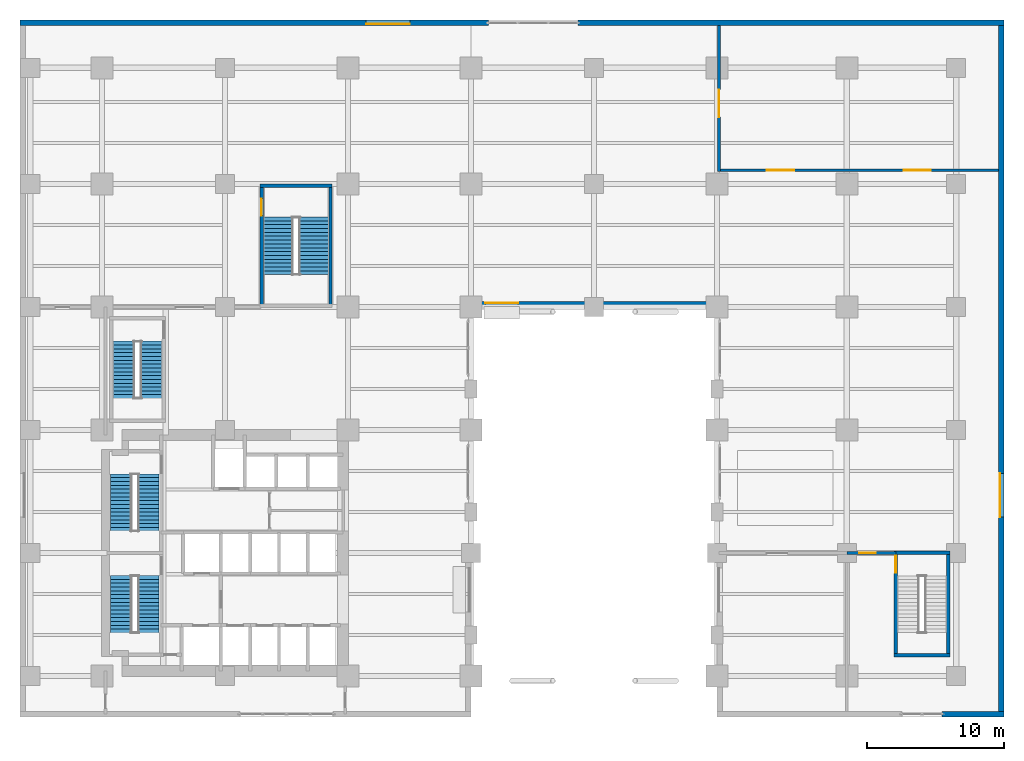
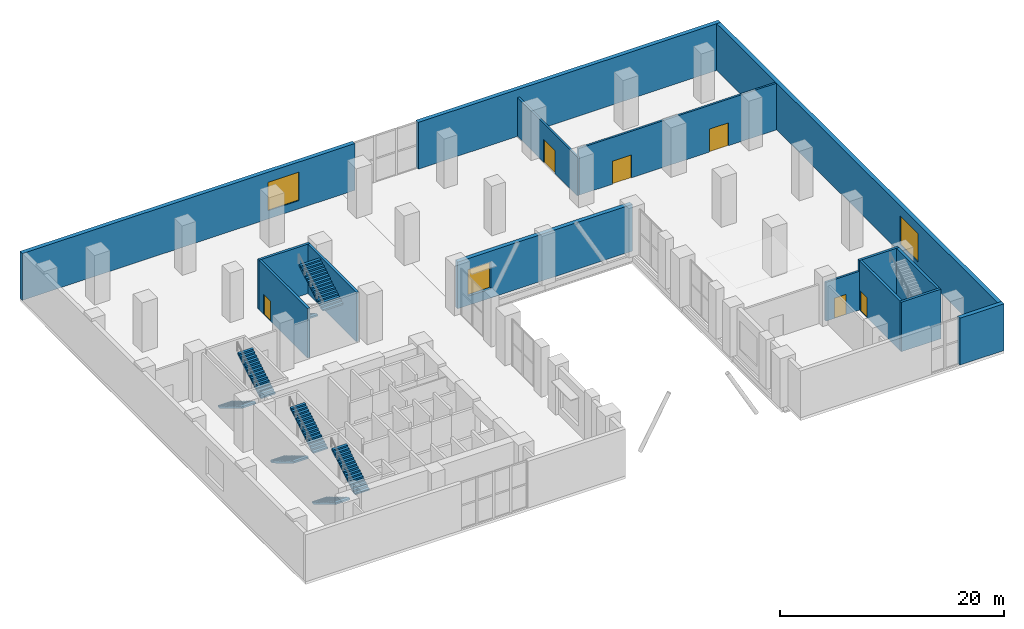
# One storey, part 17 of 20: 15 walls, 8 stair flights, 6 doors, 3 windows, 9 openings, 4 elements without a shape of their own.
"""IFC4 building model written with IfcOpenShell, lengths in metres."""

from ifc_helpers import new_model, si_unit, direction, frame, frame_2d, origin, place, context, subcontext, project, spatial, polyline, rectangle, outline, extrude, material, layer, layer_set, type_object, element, fill, aggregate, save


model = new_model("IFC4")

# Units and contexts
model_context = context("Model", 3, precision=1e-05, world=origin(), true_north=direction((0.0, 1.0)))
body_context = subcontext(model_context, "Body", "Model", "MODEL_VIEW")
ifc_project = project(units=[si_unit("LENGTHUNIT", "METRE"), si_unit("AREAUNIT", "SQUARE_METRE"), si_unit("VOLUMEUNIT", "CUBIC_METRE"), si_unit("PLANEANGLEUNIT", "RADIAN"), si_unit("MASSUNIT", "GRAM", prefix="KILO")], contexts=[model_context])

# Site, building, storey
site_placement = place(None, origin())
site = spatial("IfcSite", under=ifc_project, at=site_placement, CompositionType="ELEMENT")
building_placement = place(site_placement, origin())
building = spatial("IfcBuilding", under=site, at=building_placement, Name="Mawjdan Bourse Tower", CompositionType="ELEMENT")
storey_placement = place(building_placement, frame((0.0, 0.0, 5.39990234375)))
storey = spatial("IfcBuildingStorey", under=building, at=storey_placement, Name="L01", CompositionType="ELEMENT", Elevation=5.39990234375)

# Wall, opening, window
ifc_material_1 = material(Name="Brick Masonry Buff", Category="masonry")
ifc_layer_1 = layer(ifc_material_1, 0.419921875)
ifc_layer_set_1 = layer_set([ifc_layer_1], Name="Brick Masonry Buff")
wall_type_1 = type_object("IfcWallType", Name="WL-BRK-BUFF-420", PredefinedType="STANDARD", material=ifc_layer_set_1)
wall_1_placement = place(storey_placement, frame((33.0, 30.2099609375, 0.0), z_axis=(0.0, 0.0, 1.0), x_axis=(1.0, 0.0, 0.0)))
wall_1 = element("IfcWall", 1, at=wall_1_placement, inside=storey, type_object=wall_type_1, Name="L01 Podium Brick Wall ARCH-NB", PredefinedType="STANDARD", context=body_context, shape_type="SweptSolid", body=[
    extrude(rectangle(XDim=18.0, YDim=0.419921875, at=frame_2d((9.0, 0.0))), origin(), (0.0, 0.0, 1.0), 5.10009765625),
])
opening_1_placement = place(wall_1_placement, frame((1.050048828125, 0.0, 1.0)))
opening_1 = element("IfcOpeningElement", 2, at=opening_1_placement, cuts=wall_1, Name="Opening W-L01-02", PredefinedType="OPENING", context=body_context, shape_type="SweptSolid", body=[
    extrude(rectangle(XDim=2.39990234375, YDim=2.89990234375, at=frame_2d((1.199951171875, 1.449951171875))), frame((0.0, 0.219970703125, 0.0), z_axis=(0.0, -1.0, 0.0), x_axis=(1.0, 0.0, 0.0)), (0.0, 0.0, 1.0), 0.43994140625),
])
ifc_material_2 = material(Name="Solar-Control Clear Double Glazing", Category="glass")
window_type_1 = type_object("IfcWindowType", Name="WN-POD-2400", PartitioningType="SINGLE_PANEL", PredefinedType="WINDOW", material=ifc_material_2)
window_1_placement = place(opening_1_placement, origin())
window_1 = element("IfcWindow", 3, at=window_1_placement, inside=storey, type_object=window_type_1, Name="L01 Deep-Set Masonry Window W-L01-02", OverallHeight=2.89990234375, OverallWidth=2.39990234375, PartitioningType="SINGLE_PANEL", PredefinedType="WINDOW", context=body_context, shape_type="SweptSolid", body=[
    extrude(rectangle(XDim=2.39990234375, YDim=2.89990234375, at=frame_2d((1.199951171875, 1.449951171875))), frame((0.0, 0.110107421875, 0.0), z_axis=(0.0, -1.0, 0.0), x_axis=(1.0, 0.0, 0.0)), (0.0, 0.0, 1.0), 0.06005859375),
])
fill(opening_1, window_1)

# Wall
wall_2_placement = place(storey_placement, frame((67.469970703125, 0.2099609375, 0.0), z_axis=(0.0, 0.0, 1.0), x_axis=(1.0, 0.0, 0.0)))
element("IfcWall", 4, at=wall_2_placement, inside=storey, type_object=wall_type_1, Name="L01 Podium Brick Wall SE-2", PredefinedType="STANDARD", context=body_context, shape_type="SweptSolid", body=[
    extrude(rectangle(XDim=4.530029296875, YDim=0.419921875, at=frame_2d((2.26513671875, 0.0))), origin(), (0.0, 0.0, 1.0), 5.10009765625),
])

# Wall, opening, window
wall_3_placement = place(storey_placement, frame((71.7900390625, 0.0, 0.0), z_axis=(0.0, 0.0, 1.0), x_axis=(0.0, 1.0, 0.0)))
wall_3 = element("IfcWall", 5, at=wall_3_placement, inside=storey, type_object=wall_type_1, Name="L01 Podium Brick Wall EAST", PredefinedType="STANDARD", context=body_context, shape_type="SweptSolid", body=[
    extrude(rectangle(XDim=51.0, YDim=0.419921875, at=frame_2d((25.5, 0.0))), origin(), (0.0, 0.0, 1.0), 5.10009765625),
])
opening_2_placement = place(wall_3_placement, frame((14.627197265625, 0.0, 0.89990234375)))
opening_2 = element("IfcOpeningElement", 6, at=opening_2_placement, cuts=wall_3, Name="Opening W-L01-04", PredefinedType="OPENING", context=body_context, shape_type="SweptSolid", body=[
    extrude(rectangle(XDim=3.199951171875, YDim=3.10009765625, at=frame_2d((1.60009765625, 1.550048828125))), frame((0.0, 0.219970703125, 0.0), z_axis=(0.0, -1.0, 0.0), x_axis=(1.0, 0.0, 0.0)), (0.0, 0.0, 1.0), 0.43994140625),
])
window_type_2 = type_object("IfcWindowType", Name="WN-POD-3200", PartitioningType="SINGLE_PANEL", PredefinedType="WINDOW", material=ifc_material_2)
window_2_placement = place(opening_2_placement, origin())
window_2 = element("IfcWindow", 7, at=window_2_placement, inside=storey, type_object=window_type_2, Name="L01 Deep-Set Masonry Window W-L01-04", OverallHeight=3.10009765625, OverallWidth=3.199951171875, PartitioningType="SINGLE_PANEL", PredefinedType="WINDOW", context=body_context, shape_type="SweptSolid", body=[
    extrude(rectangle(XDim=3.199951171875, YDim=3.10009765625, at=frame_2d((1.60009765625, 1.550048828125))), frame((0.0, 0.110107421875, 0.0), z_axis=(0.0, -1.0, 0.0), x_axis=(1.0, 0.0, 0.0)), (0.0, 0.0, 1.0), 0.06005859375),
])
fill(opening_2, window_2)

# Wall
wall_4_placement = place(storey_placement, frame((72.0, 50.7900390625, 0.0), z_axis=(0.0, 0.0, 1.0), x_axis=(-1.0, 0.0, 0.0)))
element("IfcWall", 8, at=wall_4_placement, inside=storey, type_object=wall_type_1, Name="L01 Podium Brick Wall NE-1", PredefinedType="STANDARD", context=body_context, shape_type="SweptSolid", body=[
    extrude(rectangle(XDim=31.179931640625, YDim=0.419921875, at=frame_2d((15.58984375, 0.0))), origin(), (0.0, 0.0, 1.0), 5.10009765625),
])

# Wall, opening, window
wall_5_placement = place(storey_placement, frame((34.280029296875, 50.7900390625, 0.0), z_axis=(0.0, 0.0, 1.0), x_axis=(-1.0, 0.0, 0.0)))
wall_5 = element("IfcWall", 9, at=wall_5_placement, inside=storey, type_object=wall_type_1, Name="L01 Podium Brick Wall NW-1", PredefinedType="STANDARD", context=body_context, shape_type="SweptSolid", body=[
    extrude(rectangle(XDim=34.280029296875, YDim=0.419921875, at=frame_2d((17.14013671875, 0.0))), origin(), (0.0, 0.0, 1.0), 5.10009765625),
])
opening_3_placement = place(wall_5_placement, frame((5.74560546875, 0.0, 0.89990234375)))
opening_3 = element("IfcOpeningElement", 10, at=opening_3_placement, cuts=wall_5, Name="Opening W-L01-05", PredefinedType="OPENING", context=body_context, shape_type="SweptSolid", body=[
    extrude(rectangle(XDim=3.199951171875, YDim=3.10009765625, at=frame_2d((1.60009765625, 1.550048828125))), frame((0.0, 0.219970703125, 0.0), z_axis=(0.0, -1.0, 0.0), x_axis=(1.0, 0.0, 0.0)), (0.0, 0.0, 1.0), 0.43994140625),
])
window_3_placement = place(opening_3_placement, origin())
window_3 = element("IfcWindow", 11, at=window_3_placement, inside=storey, type_object=window_type_2, Name="L01 Deep-Set Masonry Window W-L01-05", OverallHeight=3.10009765625, OverallWidth=3.199951171875, PartitioningType="SINGLE_PANEL", PredefinedType="WINDOW", context=body_context, shape_type="SweptSolid", body=[
    extrude(rectangle(XDim=3.199951171875, YDim=3.10009765625, at=frame_2d((1.60009765625, 1.550048828125))), frame((0.0, 0.110107421875, 0.0), z_axis=(0.0, -1.0, 0.0), x_axis=(1.0, 0.0, 0.0)), (0.0, 0.0, 1.0), 0.06005859375),
])
fill(opening_3, window_3)

# Wall, opening, door
ifc_material_3 = material(Name="Gypsum Fireboard Assembly")
ifc_layer_2 = layer(ifc_material_3, 0.199951171875)
ifc_layer_set_2 = layer_set([ifc_layer_2], Name="Gypsum Fireboard Assembly")
wall_type_2 = type_object("IfcWallType", Name="WL-CMP-200", PredefinedType="PARTITIONING", material=ifc_layer_set_2)
wall_6_placement = place(storey_placement, frame((51.14990234375, 39.89990234375, 0.0), z_axis=(0.0, 0.0, 1.0), x_axis=(0.0, 1.0, 0.0)))
wall_6 = element("IfcWall", 12, at=wall_6_placement, inside=storey, type_object=wall_type_2, Name="L01 L01 East Concourse Portal Wall", PredefinedType="PARTITIONING", context=body_context, shape_type="SweptSolid", body=[
    extrude(rectangle(XDim=10.68017578125, YDim=0.199951171875, at=frame_2d((5.340087890625, 0.0))), origin(), (0.0, 0.0, 1.0), 4.234130859375),
])
opening_4_placement = place(wall_6_placement, frame((4.0, 0.0, 0.0)))
opening_4 = element("IfcOpeningElement", 13, at=opening_4_placement, cuts=wall_6, Name="Opening D-L01-23", PredefinedType="OPENING", context=body_context, shape_type="SweptSolid", body=[
    extrude(rectangle(XDim=2.0, YDim=2.5, at=frame_2d((1.0, 1.25))), frame((0.0, 0.10986328125, 0.0), z_axis=(0.0, -1.0, 0.0), x_axis=(1.0, 0.0, 0.0)), (0.0, 0.0, 1.0), 0.219970703125),
])
ifc_material_4 = material(Name="Acoustic Veneered Timber", Category="wood")
door_type_1 = type_object("IfcDoorType", Name="DR-ASM-2000", OperationType="DOUBLE_DOOR_SINGLE_SWING", PredefinedType="DOOR", material=ifc_material_4)
door_1_placement = place(opening_4_placement, origin())
door_1 = element("IfcDoor", 14, at=door_1_placement, inside=storey, type_object=door_type_1, Name="L01 Press Foyer Concourse Door D-L01-23", OperationType="DOUBLE_DOOR_SINGLE_SWING", OverallHeight=2.5, OverallWidth=2.0, PredefinedType="DOOR", context=body_context, shape_type="SweptSolid", body=[
    extrude(rectangle(XDim=2.0, YDim=2.5, at=frame_2d((1.0, 1.25))), frame((0.0, 0.02490234375, 0.0), z_axis=(0.0, -1.0, 0.0), x_axis=(1.0, 0.0, 0.0)), (0.0, 0.0, 1.0), 0.050048828125),
])
fill(opening_4, door_1)

wall_7_placement = place(storey_placement, frame((60.5, 12.0, 0.0), z_axis=(0.0, 0.0, 1.0), x_axis=(1.0, 0.0, 0.0)))
wall_7 = element("IfcWall", 15, at=wall_7_placement, inside=storey, type_object=wall_type_2, Name="L01 ST6 Corridor North Portal", PredefinedType="PARTITIONING", context=body_context, shape_type="SweptSolid", body=[
    extrude(rectangle(XDim=3.580078125, YDim=0.199951171875, at=frame_2d((1.7900390625, 0.0))), origin(), (0.0, 0.0, 1.0), 4.234130859375),
])
opening_5_placement = place(wall_7_placement, frame((0.89990234375, 0.0, 0.0)))
opening_5 = element("IfcOpeningElement", 16, at=opening_5_placement, cuts=wall_7, Name="Opening FD-L01-24", PredefinedType="OPENING", context=body_context, shape_type="SweptSolid", body=[
    extrude(rectangle(XDim=1.199951171875, YDim=2.199951171875, at=frame_2d((0.60009765625, 1.10009765625))), frame((0.0, 0.10986328125, 0.0), z_axis=(0.0, -1.0, 0.0), x_axis=(1.0, 0.0, 0.0)), (0.0, 0.0, 1.0), 0.219970703125),
])
ifc_material_5 = material(Name="Fire-Rated Steel Leaf", Category="steel")
door_type_2 = type_object("IfcDoorType", Name="FD-FFL-1200", OperationType="NOTDEFINED", PredefinedType="DOOR", material=ifc_material_5)
door_2_placement = place(opening_5_placement, frame((1.199951171875, 0.0, 0.0), z_axis=(0.0, 0.0, 1.0), x_axis=(-1.0, 0.0, 0.0)))
door_2 = element("IfcDoor", 17, at=door_2_placement, inside=storey, type_object=door_type_2, Name="L01 ST6 Auditorium Exit Door FD-L01-24", OperationType="SINGLE_SWING_RIGHT", OverallHeight=2.199951171875, OverallWidth=1.199951171875, PredefinedType="DOOR", context=body_context, shape_type="SweptSolid", body=[
    extrude(rectangle(XDim=1.199951171875, YDim=2.199951171875, at=frame_2d((0.60009765625, 1.10009765625))), frame((0.0, 0.02490234375, 0.0), z_axis=(0.0, -1.0, 0.0), x_axis=(1.0, 0.0, 0.0)), (0.0, 0.0, 1.0), 0.050048828125),
])
fill(opening_5, door_2)

# Wall, openings, doors
wall_8_placement = place(storey_placement, frame((51.14990234375, 40.0, 0.0), z_axis=(0.0, 0.0, 1.0), x_axis=(1.0, 0.0, 0.0)))
wall_8 = element("IfcWall", 18, at=wall_8_placement, inside=storey, type_object=wall_type_2, Name="L01 Press Auditorium North Acoustic Wall", PredefinedType="PARTITIONING", context=body_context, shape_type="SweptSolid", body=[
    extrude(rectangle(XDim=20.43017578125, YDim=0.199951171875, at=frame_2d((10.215087890625, 0.0))), origin(), (0.0, 0.0, 1.0), 5.090087890625),
])
opening_6_placement = place(wall_8_placement, frame((3.5, 0.0, 0.0)))
opening_6 = element("IfcOpeningElement", 19, at=opening_6_placement, cuts=wall_8, Name="Opening D-L01-25", PredefinedType="OPENING", context=body_context, shape_type="SweptSolid", body=[
    extrude(rectangle(XDim=2.0, YDim=2.5, at=frame_2d((1.0, 1.25))), frame((0.0, 0.10986328125, 0.0), z_axis=(0.0, -1.0, 0.0), x_axis=(1.0, 0.0, 0.0)), (0.0, 0.0, 1.0), 0.219970703125),
])
opening_7_placement = place(wall_8_placement, frame((13.5, 0.0, 0.0)))
opening_7 = element("IfcOpeningElement", 20, at=opening_7_placement, cuts=wall_8, Name="Opening D-L01-26", PredefinedType="OPENING", context=body_context, shape_type="SweptSolid", body=[
    extrude(rectangle(XDim=2.0, YDim=2.5, at=frame_2d((1.0, 1.25))), frame((0.0, 0.10986328125, 0.0), z_axis=(0.0, -1.0, 0.0), x_axis=(1.0, 0.0, 0.0)), (0.0, 0.0, 1.0), 0.219970703125),
])
door_3_placement = place(opening_6_placement, origin())
door_3 = element("IfcDoor", 21, at=door_3_placement, inside=storey, type_object=door_type_1, Name="L01 Press Auditorium Main Door 1 D-L01-25", OperationType="DOUBLE_DOOR_SINGLE_SWING", OverallHeight=2.5, OverallWidth=2.0, PredefinedType="DOOR", context=body_context, shape_type="SweptSolid", body=[
    extrude(rectangle(XDim=2.0, YDim=2.5, at=frame_2d((1.0, 1.25))), frame((0.0, 0.02490234375, 0.0), z_axis=(0.0, -1.0, 0.0), x_axis=(1.0, 0.0, 0.0)), (0.0, 0.0, 1.0), 0.050048828125),
])
fill(opening_6, door_3)
door_4_placement = place(opening_7_placement, origin())
door_4 = element("IfcDoor", 22, at=door_4_placement, inside=storey, type_object=door_type_1, Name="L01 Press Auditorium Main Door 2 D-L01-26", OperationType="DOUBLE_DOOR_SINGLE_SWING", OverallHeight=2.5, OverallWidth=2.0, PredefinedType="DOOR", context=body_context, shape_type="SweptSolid", body=[
    extrude(rectangle(XDim=2.0, YDim=2.5, at=frame_2d((1.0, 1.25))), frame((0.0, 0.02490234375, 0.0), z_axis=(0.0, -1.0, 0.0), x_axis=(1.0, 0.0, 0.0)), (0.0, 0.0, 1.0), 0.050048828125),
])
fill(opening_7, door_4)

# Walls
ifc_material_6 = material(Name="Concrete C50/60", Category="concrete")
ifc_layer_3 = layer(ifc_material_6, 0.25)
ifc_layer_set_3 = layer_set([ifc_layer_3], Name="Concrete C50/60")
wall_type_3 = type_object("IfcWallType", Name="WL-STRW-250", PredefinedType="SHEAR", material=ifc_layer_set_3)
for number, where, z_axis, x_axis, name in (
    (23, (63.955078125, 4.530029296875, 0.0), (0.0, 0.0, 1.0), (1.0, 0.0, 0.0), "L01 ST6 South Shaft Wall"),
    (24, (63.955078125, 12.030029296875, 0.0), (0.0, 0.0, 1.0), (1.0, 0.0, 0.0), "L01 ST6 North Shaft Wall"),
):
    element("IfcWall", number, at=place(storey_placement, frame(where, z_axis=z_axis, x_axis=x_axis)), inside=storey, type_object=wall_type_3, Name=name, PredefinedType="SHEAR", context=body_context, shape_type="SweptSolid", body=[
        extrude(rectangle(XDim=4.08984375, YDim=0.25, at=frame_2d((2.044921875, 0.0))), origin(), (0.0, 0.0, 1.0), 5.400146484375),
    ])
wall_9_placement = place(storey_placement, frame((67.919921875, 4.530029296875, 0.0), z_axis=(0.0, 0.0, 1.0), x_axis=(0.0, 1.0, 0.0)))
element("IfcWall", 25, at=wall_9_placement, inside=storey, type_object=wall_type_3, Name="L01 ST6 East Shaft Wall", PredefinedType="SHEAR", context=body_context, shape_type="SweptSolid", body=[
    extrude(rectangle(XDim=7.5, YDim=0.25, at=frame_2d((3.75, 0.0))), origin(), (0.0, 0.0, 1.0), 5.400146484375),
])

# Wall, opening, door
wall_10_placement = place(storey_placement, frame((64.080078125, 4.530029296875, 0.0), z_axis=(0.0, 0.0, 1.0), x_axis=(0.0, 1.0, 0.0)))
wall_10 = element("IfcWall", 26, at=wall_10_placement, inside=storey, type_object=wall_type_3, Name="L01 ST6 West Shaft Wall", PredefinedType="SHEAR", context=body_context, shape_type="SweptSolid", body=[
    extrude(rectangle(XDim=7.5, YDim=0.25, at=frame_2d((3.75, 0.0))), origin(), (0.0, 0.0, 1.0), 5.400146484375),
])
opening_8_placement = place(wall_10_placement, frame((6.02001953125, 0.0, 0.0)))
opening_8 = element("IfcOpeningElement", 27, at=opening_8_placement, cuts=wall_10, Name="Opening SD-L01-17", PredefinedType="OPENING", context=body_context, shape_type="SweptSolid", body=[
    extrude(rectangle(XDim=1.25, YDim=2.199951171875, at=frame_2d((0.625, 1.10009765625))), frame((0.0, 0.135009765625, 0.0), z_axis=(0.0, -1.0, 0.0), x_axis=(1.0, 0.0, 0.0)), (0.0, 0.0, 1.0), 0.27001953125),
])
door_type_3 = type_object("IfcDoorType", Name="FD-ST-1250", OperationType="NOTDEFINED", PredefinedType="DOOR", material=ifc_material_5)
door_5_placement = place(opening_8_placement, frame((1.25, 0.0, 0.0), z_axis=(0.0, 0.0, 1.0), x_axis=(-1.0, 0.0, 0.0)))
door_5 = element("IfcDoor", 28, at=door_5_placement, inside=storey, type_object=door_type_3, Name="L01 Stair ST6 Fire Door SD-L01-17", OperationType="SINGLE_SWING_LEFT", OverallHeight=2.199951171875, OverallWidth=1.25, PredefinedType="DOOR", context=body_context, shape_type="SweptSolid", body=[
    extrude(rectangle(XDim=1.25, YDim=2.199951171875, at=frame_2d((0.625, 1.10009765625))), frame((0.0, 0.02490234375, 0.0), z_axis=(0.0, -1.0, 0.0), x_axis=(1.0, 0.0, 0.0)), (0.0, 0.0, 1.0), 0.050048828125),
])
fill(opening_8, door_5)

# Walls
wall_11_placement = place(storey_placement, frame((17.554931640625, 38.8701171875, 0.0), z_axis=(0.0, 0.0, 1.0), x_axis=(1.0, 0.0, 0.0)))
element("IfcWall", 29, at=wall_11_placement, inside=storey, type_object=wall_type_3, Name="L01 ST4 North Shaft Wall", PredefinedType="SHEAR", context=body_context, shape_type="SweptSolid", body=[
    extrude(rectangle(XDim=5.2900390625, YDim=0.25, at=frame_2d((2.64501953125, 0.0))), origin(), (0.0, 0.0, 1.0), 5.400146484375),
])
wall_12_placement = place(storey_placement, frame((22.719970703125, 30.080078125, 0.0), z_axis=(0.0, 0.0, 1.0), x_axis=(0.0, 1.0, 0.0)))
element("IfcWall", 30, at=wall_12_placement, inside=storey, type_object=wall_type_3, Name="L01 ST4 East Shaft Wall", PredefinedType="SHEAR", context=body_context, shape_type="SweptSolid", body=[
    extrude(rectangle(XDim=8.7900390625, YDim=0.25, at=frame_2d((4.39501953125, 0.0))), origin(), (0.0, 0.0, 1.0), 5.400146484375),
])

# Wall, opening, door
wall_13_placement = place(storey_placement, frame((17.679931640625, 30.080078125, 0.0), z_axis=(0.0, 0.0, 1.0), x_axis=(0.0, 1.0, 0.0)))
wall_13 = element("IfcWall", 31, at=wall_13_placement, inside=storey, type_object=wall_type_3, Name="L01 ST4 West Shaft Wall", PredefinedType="SHEAR", context=body_context, shape_type="SweptSolid", body=[
    extrude(rectangle(XDim=8.7900390625, YDim=0.25, at=frame_2d((4.39501953125, 0.0))), origin(), (0.0, 0.0, 1.0), 5.400146484375),
])
opening_9_placement = place(wall_13_placement, frame((6.60009765625, 0.0, 0.0)))
opening_9 = element("IfcOpeningElement", 32, at=opening_9_placement, cuts=wall_13, Name="Opening SD-L01-18", PredefinedType="OPENING", context=body_context, shape_type="SweptSolid", body=[
    extrude(rectangle(XDim=1.25, YDim=2.199951171875, at=frame_2d((0.625, 1.10009765625))), frame((0.0, 0.135009765625, 0.0), z_axis=(0.0, -1.0, 0.0), x_axis=(1.0, 0.0, 0.0)), (0.0, 0.0, 1.0), 0.27001953125),
])
door_6_placement = place(opening_9_placement, frame((1.25, 0.0, 0.0), z_axis=(0.0, 0.0, 1.0), x_axis=(-1.0, 0.0, 0.0)))
door_6 = element("IfcDoor", 33, at=door_6_placement, inside=storey, type_object=door_type_3, Name="L01 Stair ST4 Fire Door SD-L01-18", OperationType="SINGLE_SWING_RIGHT", OverallHeight=2.199951171875, OverallWidth=1.25, PredefinedType="DOOR", context=body_context, shape_type="SweptSolid", body=[
    extrude(rectangle(XDim=1.25, YDim=2.199951171875, at=frame_2d((0.625, 1.10009765625))), frame((0.0, 0.02490234375, 0.0), z_axis=(0.0, -1.0, 0.0), x_axis=(1.0, 0.0, 0.0)), (0.0, 0.0, 1.0), 0.050048828125),
])
fill(opening_9, door_6)

# Stair, stair flights
stair_type_1 = type_object("IfcStairType", Name="STR-CORE-1500", PredefinedType="HALF_TURN_STAIR", material=ifc_material_6)
stair_1_placement = place(storey_placement, origin())
stair_1 = element("IfcStair", 34, at=stair_1_placement, inside=storey, type_object=stair_type_1, Name="L01 Exit Stair 1 (Core South-West)", PredefinedType="HALF_TURN_STAIR")
stair_flight_type_1 = type_object("IfcStairFlightType", Name="SFL-RC-1500", PredefinedType="STRAIGHT", material=ifc_material_6)
stair_flight_1_placement = place(storey_placement, frame((7.389892578125, 10.35009765625, 0.0), z_axis=(0.0, 0.0, 1.0), x_axis=(0.0, -1.0, 0.0)))
stair_flight_1 = element("IfcStairFlight", 35, at=stair_flight_1_placement, type_object=stair_flight_type_1, Name="ST1-L01 flight 1", NumberOfRisers=16, NumberOfTreads=15, PredefinedType="STRAIGHT", RiserHeight=0.16875, TreadLength=0.28, context=body_context, shape_type="SweptSolid", body=[
    extrude(outline(polyline([(0.0, 0.0), (0.0, 0.168701171875), (0.280029296875, 0.168701171875), (0.280029296875, 0.33740234375), (0.56005859375, 0.33740234375), (0.56005859375, 0.50634765625), (0.840087890625, 0.50634765625), (0.840087890625, 0.675048828125), (1.1201171875, 0.675048828125), (1.1201171875, 0.84375), (1.39990234375, 0.84375), (1.39990234375, 1.012451171875), (1.679931640625, 1.012451171875), (1.679931640625, 1.18115234375), (1.9599609375, 1.18115234375), (1.9599609375, 1.35009765625), (2.239990234375, 1.35009765625), (2.239990234375, 1.518798828125), (2.52001953125, 1.518798828125), (2.52001953125, 1.6875), (2.800048828125, 1.6875), (2.800048828125, 1.856201171875), (3.080078125, 1.856201171875), (3.080078125, 2.02490234375), (3.360107421875, 2.02490234375), (3.360107421875, 2.19384765625), (3.639892578125, 2.19384765625), (3.639892578125, 2.362548828125), (3.919921875, 2.362548828125), (3.919921875, 2.53125), (4.199951171875, 2.53125), (4.199951171875, 2.699951171875), (4.199951171875, 2.344482421875), (0.309814453125, 0.0), (0.0, 0.0)])), frame((0.0, 0.75, 0.0), z_axis=(0.0, -1.0, 0.0), x_axis=(1.0, 0.0, 0.0)), (0.0, 0.0, 1.0), 1.5),
])
stair_flight_2_placement = place(storey_placement, frame((9.409912109375, 6.14990234375, 2.7001953125), z_axis=(0.0, 0.0, 1.0), x_axis=(0.0, 1.0, 0.0)))
stair_flight_2 = element("IfcStairFlight", 36, at=stair_flight_2_placement, type_object=stair_flight_type_1, Name="ST1-L01 flight 2", NumberOfRisers=16, NumberOfTreads=15, PredefinedType="STRAIGHT", RiserHeight=0.16875, TreadLength=0.28, context=body_context, shape_type="SweptSolid", body=[
    extrude(outline(polyline([(0.0, 0.0), (0.0, 0.168701171875), (0.280029296875, 0.168701171875), (0.280029296875, 0.33740234375), (0.56005859375, 0.33740234375), (0.56005859375, 0.50634765625), (0.840087890625, 0.50634765625), (0.840087890625, 0.675048828125), (1.1201171875, 0.675048828125), (1.1201171875, 0.84375), (1.39990234375, 0.84375), (1.39990234375, 1.012451171875), (1.679931640625, 1.012451171875), (1.679931640625, 1.18115234375), (1.9599609375, 1.18115234375), (1.9599609375, 1.35009765625), (2.239990234375, 1.35009765625), (2.239990234375, 1.518798828125), (2.52001953125, 1.518798828125), (2.52001953125, 1.6875), (2.800048828125, 1.6875), (2.800048828125, 1.856201171875), (3.080078125, 1.856201171875), (3.080078125, 2.02490234375), (3.360107421875, 2.02490234375), (3.360107421875, 2.19384765625), (3.639892578125, 2.19384765625), (3.639892578125, 2.362548828125), (3.919921875, 2.362548828125), (3.919921875, 2.53125), (4.199951171875, 2.53125), (4.199951171875, 2.699951171875), (4.199951171875, 2.344482421875), (0.309814453125, 0.0), (0.0, 0.0)])), frame((0.0, 0.75, 0.0), z_axis=(0.0, -1.0, 0.0), x_axis=(1.0, 0.0, 0.0)), (0.0, 0.0, 1.0), 1.5),
])
aggregate(stair_1, [stair_flight_1, stair_flight_2])

stair_2_placement = place(storey_placement, origin())
stair_2 = element("IfcStair", 37, at=stair_2_placement, inside=storey, type_object=stair_type_1, Name="L01 Exit Stair 2 (Core North-West)", PredefinedType="HALF_TURN_STAIR")
stair_flight_3_placement = place(storey_placement, frame((7.389892578125, 17.7900390625, 0.0), z_axis=(0.0, 0.0, 1.0), x_axis=(0.0, -1.0, 0.0)))
stair_flight_3 = element("IfcStairFlight", 38, at=stair_flight_3_placement, type_object=stair_flight_type_1, Name="ST2-L01 flight 1", NumberOfRisers=16, NumberOfTreads=15, PredefinedType="STRAIGHT", RiserHeight=0.16875, TreadLength=0.28, context=body_context, shape_type="SweptSolid", body=[
    extrude(outline(polyline([(0.0, 0.0), (0.0, 0.168701171875), (0.280029296875, 0.168701171875), (0.280029296875, 0.33740234375), (0.56005859375, 0.33740234375), (0.56005859375, 0.50634765625), (0.840087890625, 0.50634765625), (0.840087890625, 0.675048828125), (1.1201171875, 0.675048828125), (1.1201171875, 0.84375), (1.39990234375, 0.84375), (1.39990234375, 1.012451171875), (1.679931640625, 1.012451171875), (1.679931640625, 1.18115234375), (1.9599609375, 1.18115234375), (1.9599609375, 1.35009765625), (2.239990234375, 1.35009765625), (2.239990234375, 1.518798828125), (2.52001953125, 1.518798828125), (2.52001953125, 1.6875), (2.800048828125, 1.6875), (2.800048828125, 1.856201171875), (3.080078125, 1.856201171875), (3.080078125, 2.02490234375), (3.360107421875, 2.02490234375), (3.360107421875, 2.19384765625), (3.639892578125, 2.19384765625), (3.639892578125, 2.362548828125), (3.919921875, 2.362548828125), (3.919921875, 2.53125), (4.199951171875, 2.53125), (4.199951171875, 2.699951171875), (4.199951171875, 2.344482421875), (0.309814453125, 0.0), (0.0, 0.0)])), frame((0.0, 0.75, 0.0), z_axis=(0.0, -1.0, 0.0), x_axis=(1.0, 0.0, 0.0)), (0.0, 0.0, 1.0), 1.5),
])
stair_flight_4_placement = place(storey_placement, frame((9.409912109375, 13.590087890625, 2.7001953125), z_axis=(0.0, 0.0, 1.0), x_axis=(0.0, 1.0, 0.0)))
stair_flight_4 = element("IfcStairFlight", 39, at=stair_flight_4_placement, type_object=stair_flight_type_1, Name="ST2-L01 flight 2", NumberOfRisers=16, NumberOfTreads=15, PredefinedType="STRAIGHT", RiserHeight=0.16875, TreadLength=0.28, context=body_context, shape_type="SweptSolid", body=[
    extrude(outline(polyline([(0.0, 0.0), (0.0, 0.168701171875), (0.280029296875, 0.168701171875), (0.280029296875, 0.33740234375), (0.56005859375, 0.33740234375), (0.56005859375, 0.50634765625), (0.840087890625, 0.50634765625), (0.840087890625, 0.675048828125), (1.1201171875, 0.675048828125), (1.1201171875, 0.84375), (1.39990234375, 0.84375), (1.39990234375, 1.012451171875), (1.679931640625, 1.012451171875), (1.679931640625, 1.18115234375), (1.9599609375, 1.18115234375), (1.9599609375, 1.35009765625), (2.239990234375, 1.35009765625), (2.239990234375, 1.518798828125), (2.52001953125, 1.518798828125), (2.52001953125, 1.6875), (2.800048828125, 1.6875), (2.800048828125, 1.856201171875), (3.080078125, 1.856201171875), (3.080078125, 2.02490234375), (3.360107421875, 2.02490234375), (3.360107421875, 2.19384765625), (3.639892578125, 2.19384765625), (3.639892578125, 2.362548828125), (3.919921875, 2.362548828125), (3.919921875, 2.53125), (4.199951171875, 2.53125), (4.199951171875, 2.699951171875), (4.199951171875, 2.344482421875), (0.309814453125, 0.0), (0.0, 0.0)])), frame((0.0, 0.75, 0.0), z_axis=(0.0, -1.0, 0.0), x_axis=(1.0, 0.0, 0.0)), (0.0, 0.0, 1.0), 1.5),
])
aggregate(stair_2, [stair_flight_3, stair_flight_4])

stair_3_placement = place(storey_placement, origin())
stair_3 = element("IfcStair", 40, at=stair_3_placement, inside=storey, type_object=stair_type_1, Name="L01 Exit Stair 3 (North Wing)", PredefinedType="HALF_TURN_STAIR")
stair_flight_5_placement = place(storey_placement, frame((7.590087890625, 27.5, 0.0), z_axis=(0.0, 0.0, 1.0), x_axis=(0.0, -1.0, 0.0)))
stair_flight_5 = element("IfcStairFlight", 41, at=stair_flight_5_placement, type_object=stair_flight_type_1, Name="ST3-L01 flight 1", NumberOfRisers=16, NumberOfTreads=15, PredefinedType="STRAIGHT", RiserHeight=0.16875, TreadLength=0.28, context=body_context, shape_type="SweptSolid", body=[
    extrude(outline(polyline([(0.0, 0.0), (0.0, 0.168701171875), (0.280029296875, 0.168701171875), (0.280029296875, 0.33740234375), (0.56005859375, 0.33740234375), (0.56005859375, 0.50634765625), (0.840087890625, 0.50634765625), (0.840087890625, 0.675048828125), (1.1201171875, 0.675048828125), (1.1201171875, 0.84375), (1.39990234375, 0.84375), (1.39990234375, 1.012451171875), (1.679931640625, 1.012451171875), (1.679931640625, 1.18115234375), (1.9599609375, 1.18115234375), (1.9599609375, 1.35009765625), (2.239990234375, 1.35009765625), (2.239990234375, 1.518798828125), (2.52001953125, 1.518798828125), (2.52001953125, 1.6875), (2.800048828125, 1.6875), (2.800048828125, 1.856201171875), (3.080078125, 1.856201171875), (3.080078125, 2.02490234375), (3.360107421875, 2.02490234375), (3.360107421875, 2.19384765625), (3.639892578125, 2.19384765625), (3.639892578125, 2.362548828125), (3.919921875, 2.362548828125), (3.919921875, 2.53125), (4.199951171875, 2.53125), (4.199951171875, 2.699951171875), (4.199951171875, 2.344482421875), (0.309814453125, 0.0), (0.0, 0.0)])), frame((0.0, 0.75, 0.0), z_axis=(0.0, -1.0, 0.0), x_axis=(1.0, 0.0, 0.0)), (0.0, 0.0, 1.0), 1.5),
])
stair_flight_6_placement = place(storey_placement, frame((9.610107421875, 23.300048828125, 2.7001953125), z_axis=(0.0, 0.0, 1.0), x_axis=(0.0, 1.0, 0.0)))
stair_flight_6 = element("IfcStairFlight", 42, at=stair_flight_6_placement, type_object=stair_flight_type_1, Name="ST3-L01 flight 2", NumberOfRisers=16, NumberOfTreads=15, PredefinedType="STRAIGHT", RiserHeight=0.16875, TreadLength=0.28, context=body_context, shape_type="SweptSolid", body=[
    extrude(outline(polyline([(0.0, 0.0), (0.0, 0.168701171875), (0.280029296875, 0.168701171875), (0.280029296875, 0.33740234375), (0.56005859375, 0.33740234375), (0.56005859375, 0.50634765625), (0.840087890625, 0.50634765625), (0.840087890625, 0.675048828125), (1.1201171875, 0.675048828125), (1.1201171875, 0.84375), (1.39990234375, 0.84375), (1.39990234375, 1.012451171875), (1.679931640625, 1.012451171875), (1.679931640625, 1.18115234375), (1.9599609375, 1.18115234375), (1.9599609375, 1.35009765625), (2.239990234375, 1.35009765625), (2.239990234375, 1.518798828125), (2.52001953125, 1.518798828125), (2.52001953125, 1.6875), (2.800048828125, 1.6875), (2.800048828125, 1.856201171875), (3.080078125, 1.856201171875), (3.080078125, 2.02490234375), (3.360107421875, 2.02490234375), (3.360107421875, 2.19384765625), (3.639892578125, 2.19384765625), (3.639892578125, 2.362548828125), (3.919921875, 2.362548828125), (3.919921875, 2.53125), (4.199951171875, 2.53125), (4.199951171875, 2.699951171875), (4.199951171875, 2.344482421875), (0.309814453125, 0.0), (0.0, 0.0)])), frame((0.0, 0.75, 0.0), z_axis=(0.0, -1.0, 0.0), x_axis=(1.0, 0.0, 0.0)), (0.0, 0.0, 1.0), 1.5),
])
aggregate(stair_3, [stair_flight_5, stair_flight_6])

ifc_material_7 = material(Name="Concrete C50/60 precast", Category="concrete")
stair_type_2 = type_object("IfcStairType", Name="STR-CER-1800", PredefinedType="TWO_STRAIGHT_RUN_STAIR", material=ifc_material_7)
stair_4_placement = place(storey_placement, origin())
stair_4 = element("IfcStair", 43, at=stair_4_placement, inside=storey, type_object=stair_type_2, Name="L01 Exchange Hall Ceremonial Stair", PredefinedType="TWO_STRAIGHT_RUN_STAIR")
ifc_material_8 = material(Name="Structural Steel S355", Category="steel")
stair_flight_type_2 = type_object("IfcStairFlightType", Name="SFL-STL-1800", PredefinedType="STRAIGHT", material=ifc_material_8)
stair_flight_7_placement = place(storey_placement, frame((18.889892578125, 36.590087890625, 0.0), z_axis=(0.0, 0.0, 1.0), x_axis=(0.0, -1.0, 0.0)))
stair_flight_7 = element("IfcStairFlight", 44, at=stair_flight_7_placement, type_object=stair_flight_type_2, Name="ST4-L01 flight 1", NumberOfRisers=16, NumberOfTreads=15, PredefinedType="STRAIGHT", RiserHeight=0.16875, TreadLength=0.282, context=body_context, shape_type="SweptSolid", body=[
    extrude(outline(polyline([(0.0, 0.0), (0.0, 0.168701171875), (0.281982421875, 0.168701171875), (0.281982421875, 0.33740234375), (0.56396484375, 0.33740234375), (0.56396484375, 0.50634765625), (0.845947265625, 0.50634765625), (0.845947265625, 0.675048828125), (1.1279296875, 0.675048828125), (1.1279296875, 0.84375), (1.409912109375, 0.84375), (1.409912109375, 1.012451171875), (1.69189453125, 1.012451171875), (1.69189453125, 1.18115234375), (1.97412109375, 1.18115234375), (1.97412109375, 1.35009765625), (2.256103515625, 1.35009765625), (2.256103515625, 1.518798828125), (2.5380859375, 1.518798828125), (2.5380859375, 1.6875), (2.820068359375, 1.6875), (2.820068359375, 1.856201171875), (3.10205078125, 1.856201171875), (3.10205078125, 2.02490234375), (3.384033203125, 2.02490234375), (3.384033203125, 2.19384765625), (3.666015625, 2.19384765625), (3.666015625, 2.362548828125), (3.947998046875, 2.362548828125), (3.947998046875, 2.53125), (4.22998046875, 2.53125), (4.22998046875, 2.699951171875), (4.22998046875, 2.344970703125), (0.3115234375, 0.0), (0.0, 0.0)])), frame((0.0, 1.050048828125, 0.0), z_axis=(0.0, -1.0, 0.0), x_axis=(1.0, 0.0, 0.0)), (0.0, 0.0, 1.0), 2.10009765625),
])
stair_flight_8_placement = place(storey_placement, frame((21.510009765625, 32.360107421875, 2.7001953125), z_axis=(0.0, 0.0, 1.0), x_axis=(0.0, 1.0, 0.0)))
stair_flight_8 = element("IfcStairFlight", 45, at=stair_flight_8_placement, type_object=stair_flight_type_2, Name="ST4-L01 flight 2", NumberOfRisers=16, NumberOfTreads=15, PredefinedType="STRAIGHT", RiserHeight=0.16875, TreadLength=0.282, context=body_context, shape_type="SweptSolid", body=[
    extrude(outline(polyline([(0.0, 0.0), (0.0, 0.168701171875), (0.281982421875, 0.168701171875), (0.281982421875, 0.33740234375), (0.56396484375, 0.33740234375), (0.56396484375, 0.50634765625), (0.845947265625, 0.50634765625), (0.845947265625, 0.675048828125), (1.1279296875, 0.675048828125), (1.1279296875, 0.84375), (1.409912109375, 0.84375), (1.409912109375, 1.012451171875), (1.69189453125, 1.012451171875), (1.69189453125, 1.18115234375), (1.97412109375, 1.18115234375), (1.97412109375, 1.35009765625), (2.256103515625, 1.35009765625), (2.256103515625, 1.518798828125), (2.5380859375, 1.518798828125), (2.5380859375, 1.6875), (2.820068359375, 1.6875), (2.820068359375, 1.856201171875), (3.10205078125, 1.856201171875), (3.10205078125, 2.02490234375), (3.384033203125, 2.02490234375), (3.384033203125, 2.19384765625), (3.666015625, 2.19384765625), (3.666015625, 2.362548828125), (3.947998046875, 2.362548828125), (3.947998046875, 2.53125), (4.22998046875, 2.53125), (4.22998046875, 2.699951171875), (4.22998046875, 2.344970703125), (0.3115234375, 0.0), (0.0, 0.0)])), frame((0.0, 1.050048828125, 0.0), z_axis=(0.0, -1.0, 0.0), x_axis=(1.0, 0.0, 0.0)), (0.0, 0.0, 1.0), 2.10009765625),
])
aggregate(stair_4, [stair_flight_7, stair_flight_8])

save(model, "model.ifc")
